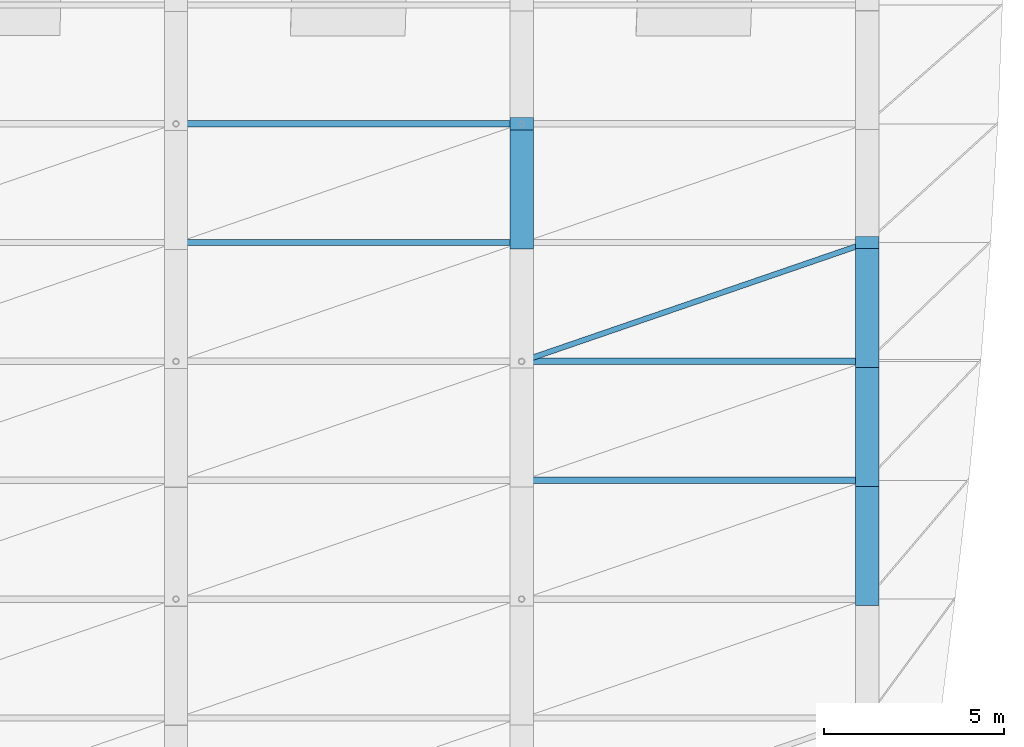
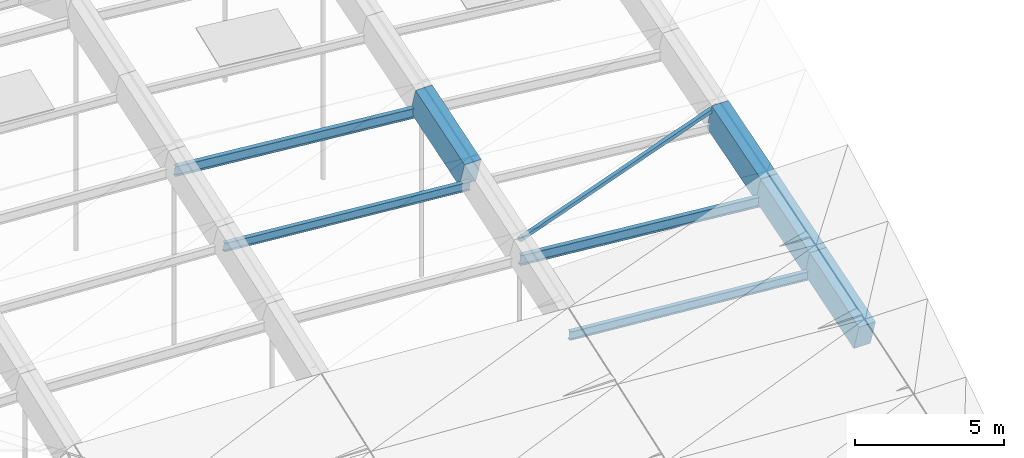
# One storey, part 30 of 43: 5 members, 4 beams.
"""IFC4 building model written with IfcOpenShell, lengths in metres."""

from ifc_helpers import new_model, si_unit, direction, frame, origin, origin_2d, place, context, subcontext, project, spatial, rectangle, hollow_rectangle, i_section, extrude, material, material_profile, profile_set, type_object, element, save


model = new_model("IFC4")

# Units and contexts
model_context = context("Model", 3, precision=1e-05, world=origin(), true_north=direction((0.0, 1.0)))
body_context = subcontext(model_context, "Body", "Model", "MODEL_VIEW")
ifc_project = project(units=[si_unit("LENGTHUNIT", "METRE"), si_unit("AREAUNIT", "SQUARE_METRE"), si_unit("VOLUMEUNIT", "CUBIC_METRE"), si_unit("PLANEANGLEUNIT", "RADIAN"), si_unit("MASSUNIT", "GRAM", prefix="KILO")], contexts=[model_context])

# Site, building, storey
site_placement = place(None, origin())
site = spatial("IfcSite", under=ifc_project, at=site_placement, CompositionType="ELEMENT")
building_placement = place(site_placement, origin())
building = spatial("IfcBuilding", under=site, at=building_placement, Name="Chalmorin Arch Market", CompositionType="ELEMENT")
storey_placement = place(building_placement, frame((0.0, 0.0, 18.60009765625)))
storey = spatial("IfcBuildingStorey", under=building, at=storey_placement, Name="RF", CompositionType="ELEMENT", Elevation=18.60009765625)

# Beams
ifc_material_1 = material(Name="Concrete C50/60", Category="concrete")
ifc_material_profile_1 = material_profile(ifc_material_1, rectangle(XDim=0.64990234375, YDim=1.14990234375, at=origin_2d()), Name="RC650X1150")
ifc_profile_set_1 = profile_set([ifc_material_profile_1], Name="Concrete C50/60")
beam_type = type_object("IfcBeamType", Name="ArchRibChord-650x1150", PredefinedType="BEAM", material=ifc_profile_set_1)
beam_1_placement = place(storey_placement, frame((115.199951171875, 22.5, 2.953125), z_axis=(0.0, 0.952494485955, 0.304555831049), x_axis=(-1.0, 0.0, 0.0)))
element("IfcBeam", 1, at=beam_1_placement, inside=storey, type_object=beam_type, Name="AR-01-1723", PredefinedType="BEAM", context=body_context, shape_type="SweptSolid", body=[
    extrude(rectangle(XDim=0.64990234375, YDim=1.14990234375, at=origin_2d()), origin(), (0.0, 0.0, 1.0), 3.464599609375),
])
beam_2_placement = place(storey_placement, frame((124.800048828125, 12.60009765625, -1.0732421875), z_axis=(0.0, 0.952875769051, 0.303360789747), x_axis=(-1.0, 0.0, 0.0)))
element("IfcBeam", 2, at=beam_2_placement, inside=storey, type_object=beam_type, Name="AR-01-1739", PredefinedType="BEAM", context=body_context, shape_type="SweptSolid", body=[
    extrude(rectangle(XDim=0.64990234375, YDim=1.14990234375, at=origin_2d()), origin(), (0.0, 0.0, 1.0), 3.462890625),
])
beam_3_placement = place(storey_placement, frame((124.800048828125, 15.89990234375, -0.022705078125), z_axis=(0.0, 0.95498272248, 0.296661422778), x_axis=(-1.0, 0.0, 0.0)))
element("IfcBeam", 3, at=beam_3_placement, inside=storey, type_object=beam_type, Name="AR-01-1740", PredefinedType="BEAM", context=body_context, shape_type="SweptSolid", body=[
    extrude(rectangle(XDim=0.64990234375, YDim=1.14990234375, at=origin_2d()), origin(), (0.0, 0.0, 1.0), 3.45556640625),
])
beam_4_placement = place(storey_placement, frame((124.800048828125, 19.199951171875, 1.00244140625), z_axis=(0.0, 0.957045243912, 0.2899386161), x_axis=(-1.0, 0.0, 0.0)))
element("IfcBeam", 4, at=beam_4_placement, inside=storey, type_object=beam_type, Name="AR-01-1741", PredefinedType="BEAM", context=body_context, shape_type="SweptSolid", body=[
    extrude(rectangle(XDim=0.64990234375, YDim=1.14990234375, at=origin_2d()), origin(), (0.0, 0.0, 1.0), 3.4482421875),
])

# Members
ifc_material_2 = material(Name="Steel A992 Grade 50", Category="steel")
ifc_material_profile_2 = material_profile(ifc_material_2, i_section(OverallWidth=0.1708984375, OverallDepth=0.35107421875, WebThickness=0.0068359375, FlangeThickness=0.009765625, FilletRadius=0.014892578125, at=origin_2d()), Name="W14X30")
ifc_profile_set_2 = profile_set([ifc_material_profile_2], Name="Steel A992 Grade 50")
member_type_1 = type_object("IfcMemberType", Name="RoofSteelPurlin-W14X30", PredefinedType="PURLIN", material=ifc_profile_set_2)
member_1_placement = place(storey_placement, frame((105.6201171875, 22.5, 3.279296875), z_axis=(0.996463313136, 0.0, -0.084028956763), x_axis=(0.0, 1.0, 0.0)))
element("IfcMember", 5, at=member_1_placement, inside=storey, type_object=member_type_1, Name="PR-W14-0303", PredefinedType="PURLIN", context=body_context, shape_type="SweptSolid", body=[
    extrude(i_section(OverallWidth=0.1708984375, OverallDepth=0.35107421875, WebThickness=0.0068359375, FlangeThickness=0.009765625, FilletRadius=0.014892578125, at=origin_2d()), origin(), (0.0, 0.0, 1.0), 9.59375),
])
member_2_placement = place(storey_placement, frame((115.219970703125, 15.89990234375, 0.28076171875), z_axis=(0.996658913962, 0.0, -0.081676246358), x_axis=(0.0, 1.0, 0.0)))
element("IfcMember", 6, at=member_2_placement, inside=storey, type_object=member_type_1, Name="PR-W14-0318", PredefinedType="PURLIN", context=body_context, shape_type="SweptSolid", body=[
    extrude(i_section(OverallWidth=0.1708984375, OverallDepth=0.35107421875, WebThickness=0.0068359375, FlangeThickness=0.009765625, FilletRadius=0.014892578125, at=origin_2d()), origin(), (0.0, 0.0, 1.0), 9.592041015625),
])
ifc_material_profile_3 = material_profile(ifc_material_2, i_section(OverallWidth=0.178955078125, OverallDepth=0.409912109375, WebThickness=0.0087890625, FlangeThickness=0.014404296875, FilletRadius=0.01806640625, at=origin_2d()), Name="W16X45")
ifc_profile_set_3 = profile_set([ifc_material_profile_3], Name="Steel A992 Grade 50")
member_type_2 = type_object("IfcMemberType", Name="RoofSteelPurlin-W16X45", PredefinedType="PURLIN", material=ifc_profile_set_3)
member_3_placement = place(storey_placement, frame((105.6201171875, 25.800048828125, 4.402587890625), z_axis=(0.995844282338, 0.0, -0.091072308273), x_axis=(0.0, 1.0, 0.0)))
element("IfcMember", 7, at=member_3_placement, inside=storey, type_object=member_type_2, Name="PR-W16-0304", PredefinedType="PURLIN", context=body_context, shape_type="SweptSolid", body=[
    extrude(i_section(OverallWidth=0.178955078125, OverallDepth=0.409912109375, WebThickness=0.0087890625, FlangeThickness=0.014404296875, FilletRadius=0.01806640625, at=origin_2d()), origin(), (0.0, 0.0, 1.0), 9.599609375),
])
member_4_placement = place(storey_placement, frame((115.219970703125, 19.199951171875, 1.390625), z_axis=(0.995901957403, 0.0, -0.090439434101), x_axis=(0.0, 1.0, 0.0)))
element("IfcMember", 8, at=member_4_placement, inside=storey, type_object=member_type_2, Name="PR-W16-0319", PredefinedType="PURLIN", context=body_context, shape_type="SweptSolid", body=[
    extrude(i_section(OverallWidth=0.178955078125, OverallDepth=0.409912109375, WebThickness=0.0087890625, FlangeThickness=0.014404296875, FilletRadius=0.01806640625, at=origin_2d()), origin(), (0.0, 0.0, 1.0), 9.599365234375),
])
ifc_material_3 = material(Name="Steel A500 Grade C", Category="steel")
ifc_material_profile_4 = material_profile(ifc_material_3, hollow_rectangle(XDim=0.15234375, YDim=0.15234375, WallThickness=0.0087890625, at=origin_2d()), Name="HSS6X6X3/8")
ifc_profile_set_4 = profile_set([ifc_material_profile_4], Name="Steel A500 Grade C")
member_type_3 = type_object("IfcMemberType", Name="VaultWindBrace-HSS6X6", PredefinedType="BRACE", material=ifc_profile_set_4)
member_5_placement = place(storey_placement, frame((115.199951171875, 19.199951171875, 2.220703125), z_axis=(0.945606692924, 0.325053803679, 0.012961751882), x_axis=(-0.325081112779, 0.945686137212, 0.0)))
element("IfcMember", 9, at=member_5_placement, inside=storey, type_object=member_type_3, Name="BR-HS6-0333", ObjectType="Diagonal brace", PredefinedType="BRACE", context=body_context, shape_type="SweptSolid", body=[
    extrude(hollow_rectangle(XDim=0.15234375, YDim=0.15234375, WallThickness=0.0087890625, at=origin_2d()), origin(), (0.0, 0.0, 1.0), 10.15234375),
])

save(model, "model.ifc")
